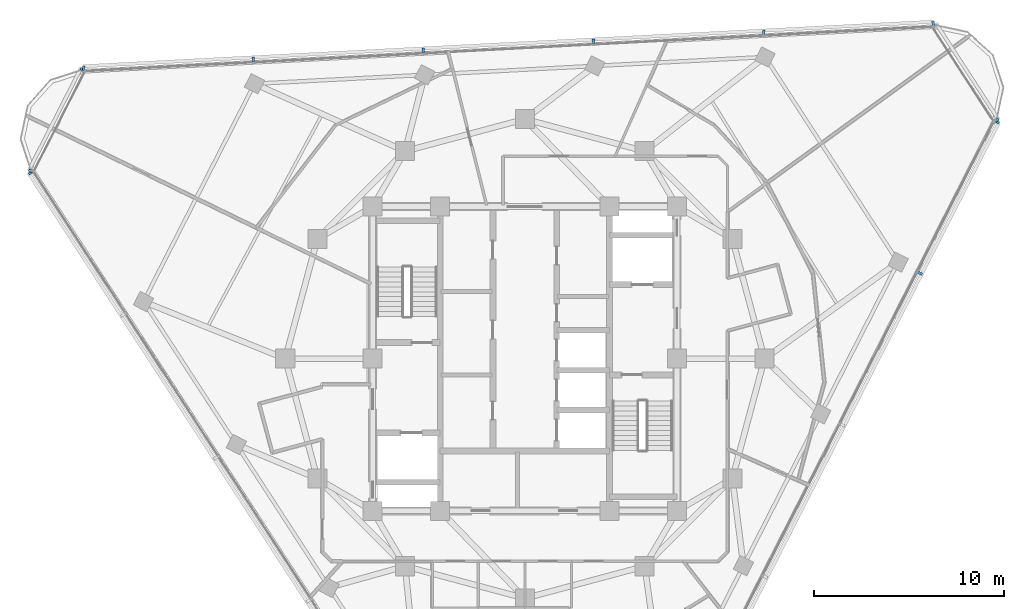
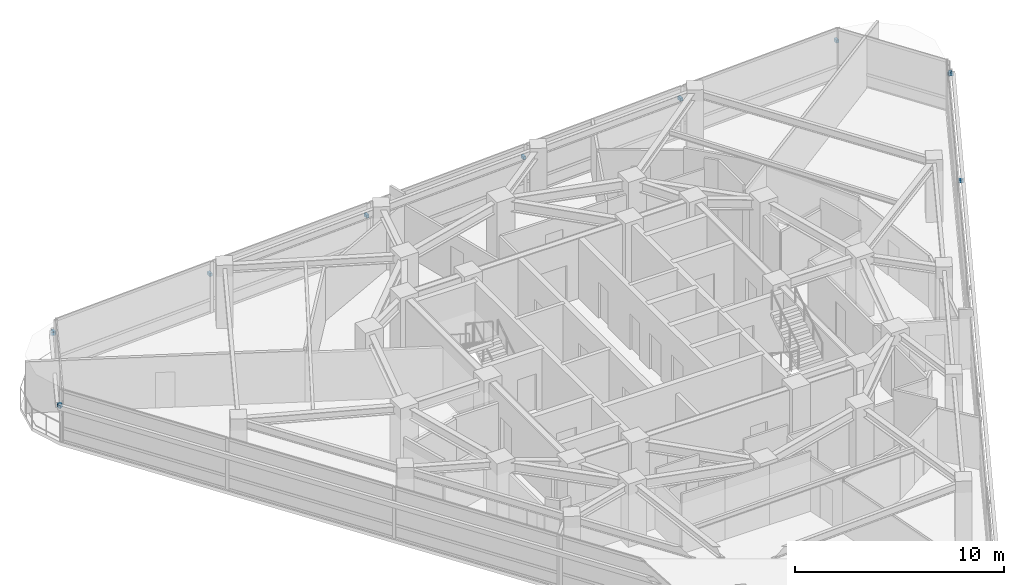
# One storey, part 11 of 15: 12 discrete accessories.
"""IFC4 building model written with IfcOpenShell, lengths in metres."""

import ifcopenshell
import ifcopenshell.guid

model = None  # the IFC model being written
_history = None  # IfcOwnerHistory: only IFC2X3 demands one
_inside = {}  # id of a spatial element -> (the spatial element, [elements in it])
_under = {}  # id of a project, library or spatial element -> (it, [spatial elements below it])
_declared = {}  # id of a project -> (the project, [libraries it declares])
_typed = {}  # id of a type object -> (the type object, [elements of that type])
_made_of = {}  # id of a material, layer set ... -> (it, [elements and type objects made of it])


def new_model(schema):
    """Start an empty IFC model of exactly this schema.

    Asked for "IFC4X3", IfcOpenShell would pick the latest addendum, in which some entities
    have other attributes; the version numbers below select the first issue.
    IFC2X3 requires an IfcOwnerHistory on every rooted entity: one is made here for all.
    """
    global model, _history
    if schema == "IFC4X3":
        model = ifcopenshell.file(schema_version=(4, 3, 0, 0))
    else:
        model = ifcopenshell.file(schema=schema)
    _inside.clear()
    _under.clear()
    _declared.clear()
    _typed.clear()
    _made_of.clear()
    _history = None
    if model.schema == "IFC2X3":
        org = make("IfcOrganization", Name="unknown")
        user = make(
            "IfcPersonAndOrganization",
            ThePerson=make("IfcPerson", FamilyName="unknown"),
            TheOrganization=org,
        )
        app = make(
            "IfcApplication",
            ApplicationDeveloper=org,
            Version="unknown",
            ApplicationFullName="unknown",
            ApplicationIdentifier="unknown",
        )
        _history = make(
            "IfcOwnerHistory",
            OwningUser=user,
            OwningApplication=app,
            ChangeAction="ADDED",
            CreationDate=0,
        )
    return model


def make(cls, **values):
    """One entity of the class cls with the attributes given. An attribute that is None is left unset."""
    return model.create_entity(
        cls, **{name: value for name, value in values.items() if value is not None}
    )


def rooted(cls, **values):
    """An entity with a GlobalId (a new one), such as an element, a storey or a relation."""
    return make(cls, GlobalId=ifcopenshell.guid.new(), OwnerHistory=_history, **values)


def si_unit(unit_type, name, prefix=None):
    """IfcSIUnit, for example si_unit("LENGTHUNIT", "METRE", prefix="MILLI")."""
    return make("IfcSIUnit", UnitType=unit_type, Prefix=prefix, Name=name)


def assignment(units):
    """IfcUnitAssignment: the units of a project."""
    return None if units is None else make("IfcUnitAssignment", Units=units)


def point(xyz):
    """IfcCartesianPoint."""
    return None if xyz is None else make("IfcCartesianPoint", Coordinates=xyz)


def direction(xyz):
    """IfcDirection."""
    return None if xyz is None else make("IfcDirection", DirectionRatios=xyz)


def frame(location, z_axis=None, x_axis=None):
    """IfcAxis2Placement3D, a coordinate frame: its origin and axes. An axis left out is left unset."""
    return make(
        "IfcAxis2Placement3D",
        Location=point(location),
        Axis=direction(z_axis),
        RefDirection=direction(x_axis),
    )


def frame_2d(location, x_axis=None):
    """IfcAxis2Placement2D, a coordinate frame in the plane: its origin and x axis."""
    return make(
        "IfcAxis2Placement2D", Location=point(location), RefDirection=direction(x_axis)
    )


def origin():
    """The frame at (0, 0, 0) with its axes left unset."""
    return frame((0.0, 0.0, 0.0))


def origin_2d():
    """The frame at (0, 0) in the plane with its x axis left unset."""
    return frame_2d((0.0, 0.0))


def place(relative_to, where):
    """IfcLocalPlacement: puts the frame where relative to a parent placement (None: the world)."""
    return make(
        "IfcLocalPlacement", PlacementRelTo=relative_to, RelativePlacement=where
    )


def context(
    kind, dimensions, precision=None, world=None, true_north=None, identifier=None
):
    """IfcGeometricRepresentationContext, for example the 3D "Model" context."""
    return make(
        "IfcGeometricRepresentationContext",
        ContextIdentifier=identifier,
        ContextType=kind,
        CoordinateSpaceDimension=dimensions,
        Precision=precision,
        WorldCoordinateSystem=world,
        TrueNorth=true_north,
    )


def subcontext(parent, identifier, kind, view, scale=None):
    """IfcGeometricRepresentationSubContext, for example "Body" below "Model"."""
    return make(
        "IfcGeometricRepresentationSubContext",
        ContextIdentifier=identifier,
        ContextType=kind,
        ParentContext=parent,
        TargetScale=scale,
        TargetView=view,
    )


def project(units=None, contexts=None):
    """IfcProject with its units and contexts."""
    return rooted(
        "IfcProject",
        Name="project",
        RepresentationContexts=contexts,
        UnitsInContext=assignment(units),
    )


def spatial(cls, under=None, at=None, **own):
    """A site, building, storey or space (cls), placed at a placement, below another one or the project."""
    s = rooted(cls, ObjectPlacement=at, **own)
    if under is not None:
        _under.setdefault(under.id(), (under, []))[1].append(s)
    return s


def profile(cls, at=None, kind="AREA", **sizes):
    """A parametric profile (cls). Its sizes go by their IFC names, for example OverallWidth=200.0."""
    return make(cls, ProfileType=kind, Position=at, **sizes)


def rectangle(**sizes):
    """IfcRectangleProfileDef."""
    return profile("IfcRectangleProfileDef", **sizes)


def extrude(swept, where, along, depth):
    """IfcExtrudedAreaSolid: the profile swept, set in the frame where, extruded along a direction by depth."""
    return make(
        "IfcExtrudedAreaSolid",
        SweptArea=swept,
        Position=where,
        ExtrudedDirection=direction(along),
        Depth=depth,
    )


def shape(context_of_items, identifier, shape_type, items):
    """IfcShapeRepresentation: the items that make up one representation, for example the "Body"."""
    return make(
        "IfcShapeRepresentation",
        ContextOfItems=context_of_items,
        RepresentationIdentifier=identifier,
        RepresentationType=shape_type,
        Items=items,
    )


def material(Name=None, Category=None):
    """IfcMaterial."""
    return make("IfcMaterial", Name=Name, Category=Category)


def made_of(thing, what):
    """Note that an element or type object is made of a material, layer set ...; save() writes the relation."""
    if what is not None:
        _made_of.setdefault(what.id(), (what, []))[1].append(thing)
    return thing


def type_object(cls, material=None, **own):
    """A type object (cls), such as IfcWallType, which elements share."""
    return made_of(rooted(cls, **own), material)


def element(
    cls,
    number,
    at=None,
    inside=None,
    cuts=None,
    type_object=None,
    material=None,
    context=None,
    identifier="Body",
    shape_type=None,
    held_by="IfcProductDefinitionShape",
    body=None,
    shapes=None,
    **own,
):
    """One element of the class cls, such as IfcWall. Its Tag is "e" and its number.

    at: its placement. inside: the storey or other place that contains it. cuts: it is an
    opening in that element (IfcRelVoidsElement). A single representation is given by context,
    identifier, shape_type and body (its items); several are given by shapes. held_by: the class
    of the entity that holds the representations. save() writes the other relations.
    """
    e = rooted(cls, Tag="e%d" % number, ObjectPlacement=at, **own)
    if body is not None:
        shapes = [shape(context, identifier, shape_type, body)]
    if shapes is not None:
        e.Representation = make(held_by, Representations=shapes)
    if inside is not None:
        _inside.setdefault(inside.id(), (inside, []))[1].append(e)
    if cuts is not None:
        rooted(
            "IfcRelVoidsElement", RelatingBuildingElement=cuts, RelatedOpeningElement=e
        )
    if type_object is not None:
        _typed.setdefault(type_object.id(), (type_object, []))[1].append(e)
    return made_of(e, material)


def aggregate(whole, parts):
    """IfcRelAggregates: a whole, such as a stair, and the parts it consists of."""
    return rooted("IfcRelAggregates", RelatingObject=whole, RelatedObjects=parts)


def save(model, path):
    """Write the relations noted so far, then the file.

    IfcRelAggregates (storeys below a building ...), IfcRelContainedInSpatialStructure (elements
    in a storey), IfcRelDefinesByType, IfcRelAssociatesMaterial and IfcRelDeclares: one each for
    every whole, place, type object, material and project.
    """
    for whole, parts in _under.values():
        aggregate(whole, parts)
    for where, things in _inside.values():
        rooted(
            "IfcRelContainedInSpatialStructure",
            RelatedElements=things,
            RelatingStructure=where,
        )
    for kind, things in _typed.values():
        rooted("IfcRelDefinesByType", RelatedObjects=things, RelatingType=kind)
    for what, things in _made_of.values():
        rooted("IfcRelAssociatesMaterial", RelatedObjects=things, RelatingMaterial=what)
    for by, libraries in _declared.values():
        rooted("IfcRelDeclares", RelatingContext=by, RelatedDefinitions=libraries)
    model.write(path)


model = new_model("IFC4")

# Units and contexts
model_context = context("Model", 3, precision=1e-05, world=origin(), true_north=direction((0.0, 1.0)))
body_context = subcontext(model_context, "Body", "Model", "MODEL_VIEW")
ifc_project = project(units=[si_unit("LENGTHUNIT", "METRE"), si_unit("AREAUNIT", "SQUARE_METRE"), si_unit("VOLUMEUNIT", "CUBIC_METRE"), si_unit("PLANEANGLEUNIT", "RADIAN"), si_unit("MASSUNIT", "GRAM", prefix="KILO")], contexts=[model_context])

# Site, building, storey
site_placement = place(None, origin())
site = spatial("IfcSite", under=ifc_project, at=site_placement, CompositionType="ELEMENT")
building_placement = place(site_placement, origin())
building = spatial("IfcBuilding", under=site, at=building_placement, Name="Terralouvre Media Tower", CompositionType="ELEMENT")
storey_placement = place(building_placement, frame((0.0, 0.0, 255.89990234375)))
storey = spatial("IfcBuildingStorey", under=building, at=storey_placement, Name="L66", CompositionType="ELEMENT", Elevation=255.89990234375)

# Discrete accessories
ifc_material = material(Name="Anodised extruded aluminium 6063-T6", Category="aluminium")
discrete_accessory_type = type_object("IfcDiscreteAccessoryType", Name="Mullion Stand-Off Baguette Fixing Bracket BK-01", PredefinedType="BRACKET", material=ifc_material)
for number, where, z_axis, x_axis, name in (
    (1, (20.77880859375, 4.49658203125, 2.07421875), (0.0, 0.0, 1.0), (0.45399044259, 0.891006553308, 0.0), "CW-L66-F0 Baguette Outrigger Bracket 1.05"),
    (2, (24.82958984375, 12.44677734375, 2.07421875), (0.0, 0.0, 1.0), (0.45399044259, 0.891006553308, 0.0), "CW-L66-F0 Baguette Outrigger Bracket 1.06"),
    (3, (21.4697265625, 17.620361328125, 2.07421875), (0.0, 0.0, 1.0), (-0.998629523875, -0.052336163844, 0.0), "CW-L66-F1 Baguette Outrigger Bracket 1.01"),
    (4, (12.5595703125, 17.153564453125, 2.07421875), (0.0, 0.0, 1.0), (-0.998629523875, -0.052336163844, 0.0), "CW-L66-F1 Baguette Outrigger Bracket 1.02"),
    (5, (3.61181640625, 16.6845703125, 2.07421875), (0.0, 0.0, 1.0), (-0.998629523875, -0.052336163844, 0.0), "CW-L66-F1 Baguette Outrigger Bracket 1.03"),
    (6, (-5.3359375, 16.215576171875, 2.07421875), (0.0, 0.0, 1.0), (-0.998629523875, -0.052336163844, 0.0), "CW-L66-F1 Baguette Outrigger Bracket 1.04"),
    (7, (-14.28369140625, 15.74658203125, 2.07421875), (0.0, 0.0, 1.0), (-0.998629523875, -0.052336163844, 0.0), "CW-L66-F1 Baguette Outrigger Bracket 1.05"),
    (8, (-23.194091796875, 15.27978515625, 2.07421875), (0.0, 0.0, 1.0), (-0.998629523875, -0.052336163844, 0.0), "CW-L66-F1 Baguette Outrigger Bracket 1.06"),
    (9, (-25.99462890625, 9.783203125, 2.07421875), (0.0, 0.0, 1.0), (0.544639069077, -0.838670545826, 0.0), "CW-L66-F2 Baguette Outrigger Bracket 1.01"),
    (10, (24.807373046875, 12.54052734375, 2.07421875), (0.0, 0.0, 1.0), (-0.544639197097, 0.838670462688, 0.0), "CW-L66-C1 Baguette Outrigger Bracket 1.01"),
    (11, (-23.26416015625, 15.21337890625, 2.07421875), (0.0, 0.0, 1.0), (-0.453990349937, -0.891006600517, 0.0), "CW-L66-C2 Baguette Outrigger Bracket 1.01"),
    (12, (-25.982177734375, 9.87890625, 2.07421875), (0.0, 0.0, 1.0), (-0.453990349937, -0.891006600517, 0.0), "CW-L66-C2 Baguette Outrigger Bracket 1.02"),
):
    element("IfcDiscreteAccessory", number, at=place(storey_placement, frame(where, z_axis=z_axis, x_axis=x_axis)), inside=storey, type_object=discrete_accessory_type, Name=name, PredefinedType="BRACKET", context=body_context, shape_type="SweptSolid", body=[
        extrude(rectangle(XDim=0.139892578125, YDim=0.239990234375, at=origin_2d()), origin(), (0.0, 0.0, 1.0), 0.179931640625),
    ])

save(model, "model.ifc")
